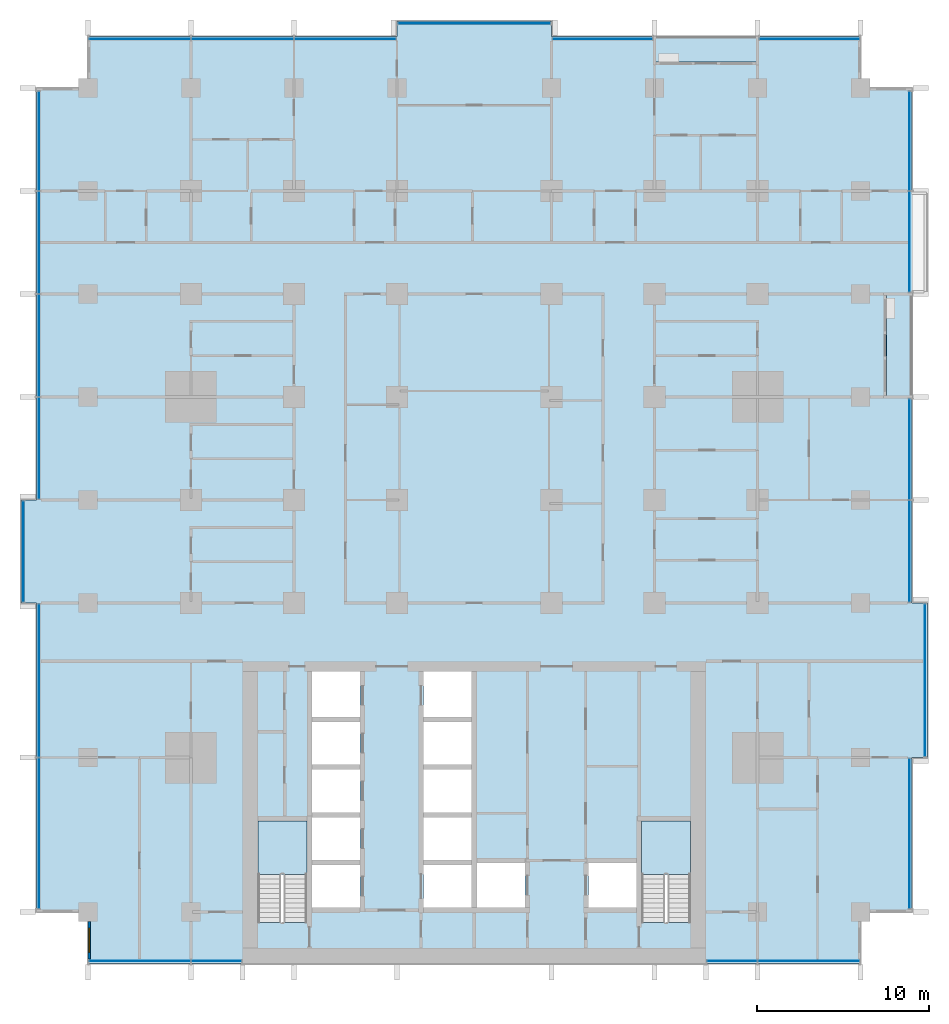
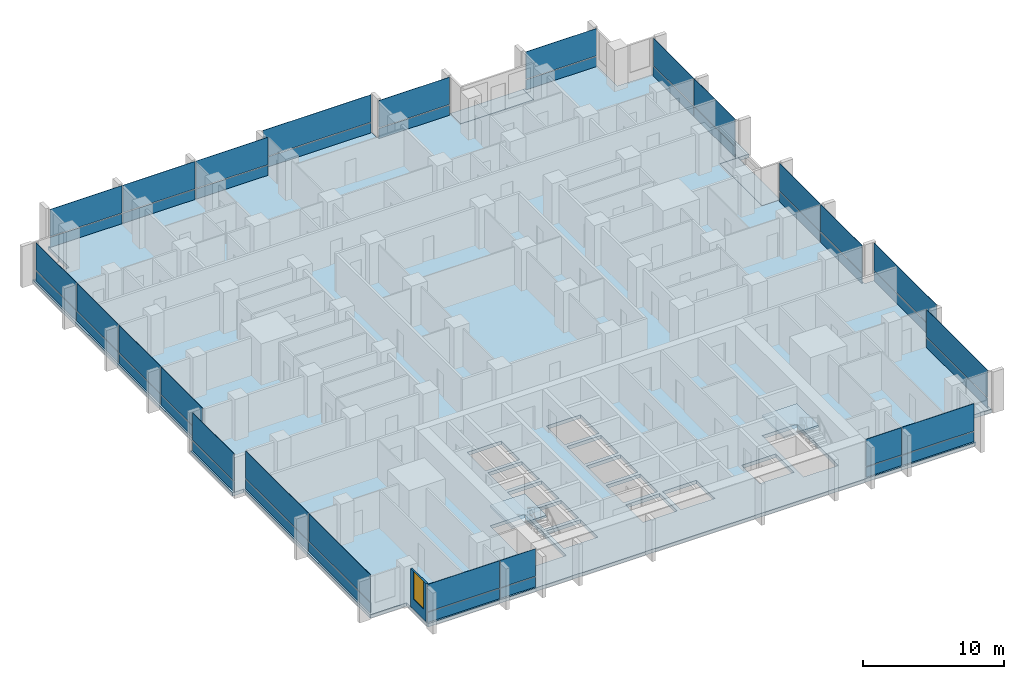
# One storey, part 6 of 18: 46 plates, 5 slabs, 1 wall, 1 window, 1 opening, 15 elements without a shape of their own.
"""IFC4 building model written with IfcOpenShell, lengths in metres."""

from ifc_helpers import new_model, si_unit, direction, frame, frame_2d, origin, origin_2d, place, context, subcontext, project, spatial, polyline, rectangle, outline, extrude, material, layer, layer_set, type_object, element, fill, aggregate, save


model = new_model("IFC4")

# Units and contexts
model_context = context("Model", 3, precision=1e-05, world=origin(), true_north=direction((0.0, 1.0)))
body_context = subcontext(model_context, "Body", "Model", "MODEL_VIEW")
ifc_project = project(units=[si_unit("LENGTHUNIT", "METRE"), si_unit("AREAUNIT", "SQUARE_METRE"), si_unit("VOLUMEUNIT", "CUBIC_METRE"), si_unit("PLANEANGLEUNIT", "RADIAN"), si_unit("MASSUNIT", "GRAM", prefix="KILO")], contexts=[model_context])

# Site, building, storey
site_placement = place(None, origin())
site = spatial("IfcSite", under=ifc_project, at=site_placement, CompositionType="ELEMENT")
building_placement = place(site_placement, origin())
building = spatial("IfcBuilding", under=site, at=building_placement, Name="Finial Court Residences", CompositionType="ELEMENT")
storey_placement = place(building_placement, frame((0.0, 0.0, 68.5)))
storey = spatial("IfcBuildingStorey", under=building, at=storey_placement, Name="L16", CompositionType="ELEMENT", Elevation=68.5)

# Slabs
ifc_material_1 = material(Name="Concrete C35/45", Category="concrete")
ifc_layer_1 = layer(ifc_material_1, 0.199951171875)
ifc_layer_set_1 = layer_set([ifc_layer_1], Name="Balcony slab, Concrete C35/45 200")
slab_type_1 = type_object("IfcSlabType", Name="Balcony slab, Concrete C35/45 200", PredefinedType="FLOOR", material=ifc_layer_set_1)
slab_1_placement = place(storey_placement, frame((0.0, 0.0, -0.199951171875)))
element("IfcSlab", 1, at=slab_1_placement, inside=storey, type_object=slab_type_1, Name="Balcony L16-N6", PredefinedType="FLOOR", context=body_context, shape_type="SweptSolid", body=[
    extrude(outline(polyline([(16.5, 27.0), (16.5, 28.5), (10.5, 28.5), (10.5, 27.0), (16.5, 27.0)])), origin(), (0.0, 0.0, 1.0), 0.199951171875),
])
slab_2_placement = place(storey_placement, frame((0.0, 0.0, -0.199951171875)))
element("IfcSlab", 2, at=slab_2_placement, inside=storey, type_object=slab_type_1, Name="Balcony L16-E5", PredefinedType="FLOOR", context=body_context, shape_type="SweptSolid", body=[
    extrude(outline(polyline([(25.5, 7.5), (25.5, 13.5), (24.0, 13.5), (24.0, 7.5), (25.5, 7.5)])), origin(), (0.0, 0.0, 1.0), 0.199951171875),
])

# Curtain wall, plates
ifc_material_2 = material(Name="Bronze anodised aluminium", Category="aluminium")
curtain_wall_type = type_object("IfcCurtainWallType", Name="Unitised curtain wall, lower and middle zones", PredefinedType="NOTDEFINED", material=ifc_material_2)
curtain_wall_1_placement = place(storey_placement, origin())
curtain_wall_1 = element("IfcCurtainWall", 3, at=curtain_wall_1_placement, inside=storey, type_object=curtain_wall_type, Name="E-L16-CW-N1", PredefinedType="NOTDEFINED")
ifc_layer_2 = layer(ifc_material_2, 0.0400390625)
ifc_layer_set_2 = layer_set([ifc_layer_2], Name="CW1 spandrel panel 40")
plate_type_1 = type_object("IfcPlateType", Name="CW1 spandrel panel 40", PredefinedType="CURTAIN_PANEL", material=ifc_layer_set_2)
plate_1_placement = place(storey_placement, frame((-19.48388671875, 28.35009765625, 0.0), z_axis=(0.0, 0.0, 1.0), x_axis=(1.0, 0.0, 0.0)))
plate_1 = element("IfcPlate", 4, at=plate_1_placement, type_object=plate_type_1, Name="CW1 spandrel 1.1", PredefinedType="CURTAIN_PANEL", context=body_context, shape_type="SweptSolid", body=[
    extrude(rectangle(XDim=5.902587890625, YDim=0.0400390625, at=origin_2d()), origin(), (0.0, 0.0, 1.0), 0.867431640625),
])
plate_2_placement = place(storey_placement, frame((-13.5, 28.35009765625, 0.0), z_axis=(0.0, 0.0, 1.0), x_axis=(1.0, 0.0, 0.0)))
plate_2 = element("IfcPlate", 5, at=plate_2_placement, type_object=plate_type_1, Name="CW1 spandrel 2.1", PredefinedType="CURTAIN_PANEL", context=body_context, shape_type="SweptSolid", body=[
    extrude(rectangle(XDim=5.93505859375, YDim=0.0400390625, at=origin_2d()), origin(), (0.0, 0.0, 1.0), 0.867431640625),
])
plate_3_placement = place(storey_placement, frame((-7.51611328125, 28.35009765625, 0.0), z_axis=(0.0, 0.0, 1.0), x_axis=(1.0, 0.0, 0.0)))
plate_3 = element("IfcPlate", 6, at=plate_3_placement, type_object=plate_type_1, Name="CW1 spandrel 3.1", PredefinedType="CURTAIN_PANEL", context=body_context, shape_type="SweptSolid", body=[
    extrude(rectangle(XDim=5.902587890625, YDim=0.0400390625, at=origin_2d()), origin(), (0.0, 0.0, 1.0), 0.867431640625),
])

# Curtain wall, plate
curtain_wall_2_placement = place(storey_placement, origin())
curtain_wall_2 = element("IfcCurtainWall", 7, at=curtain_wall_2_placement, inside=storey, type_object=curtain_wall_type, Name="E-L16-CW-N2", PredefinedType="NOTDEFINED")
plate_4_placement = place(storey_placement, frame((0.0, 29.25, 0.0), z_axis=(0.0, 0.0, 1.0), x_axis=(1.0, 0.0, 0.0)))
plate_4 = element("IfcPlate", 8, at=plate_4_placement, type_object=plate_type_1, Name="CW1 spandrel 1.1", PredefinedType="CURTAIN_PANEL", context=body_context, shape_type="SweptSolid", body=[
    extrude(rectangle(XDim=8.8701171875, YDim=0.0400390625, at=origin_2d()), origin(), (0.0, 0.0, 1.0), 0.867431640625),
])

curtain_wall_3_placement = place(storey_placement, origin())
curtain_wall_3 = element("IfcCurtainWall", 9, at=curtain_wall_3_placement, inside=storey, type_object=curtain_wall_type, Name="E-L16-CW-N3", PredefinedType="NOTDEFINED")
plate_5_placement = place(storey_placement, frame((7.46240234375, 28.35009765625, 0.0), z_axis=(0.0, 0.0, 1.0), x_axis=(1.0, 0.0, 0.0)))
plate_5 = element("IfcPlate", 10, at=plate_5_placement, type_object=plate_type_1, Name="CW1 spandrel 1.1", PredefinedType="CURTAIN_PANEL", context=body_context, shape_type="SweptSolid", body=[
    extrude(rectangle(XDim=5.794921875, YDim=0.0400390625, at=origin_2d()), origin(), (0.0, 0.0, 1.0), 0.867431640625),
])

curtain_wall_4_placement = place(storey_placement, origin())
curtain_wall_4 = element("IfcCurtainWall", 11, at=curtain_wall_4_placement, inside=storey, type_object=curtain_wall_type, Name="E-L16-CW-N4", PredefinedType="NOTDEFINED")
plate_6_placement = place(storey_placement, frame((19.53759765625, 28.35009765625, 0.0), z_axis=(0.0, 0.0, 1.0), x_axis=(1.0, 0.0, 0.0)))
plate_6 = element("IfcPlate", 12, at=plate_6_placement, type_object=plate_type_1, Name="CW1 spandrel 1.1", PredefinedType="CURTAIN_PANEL", context=body_context, shape_type="SweptSolid", body=[
    extrude(rectangle(XDim=5.794921875, YDim=0.0400390625, at=origin_2d()), origin(), (0.0, 0.0, 1.0), 0.867431640625),
])

curtain_wall_5_placement = place(storey_placement, origin())
curtain_wall_5 = element("IfcCurtainWall", 13, at=curtain_wall_5_placement, inside=storey, type_object=curtain_wall_type, Name="E-L16-CW-E5", PredefinedType="NOTDEFINED")
plate_7_placement = place(storey_placement, frame((25.35009765625, -17.925048828125, 0.0), z_axis=(0.0, 0.0, 1.0), x_axis=(0.0, 1.0, 0.0)))
plate_7 = element("IfcPlate", 14, at=plate_7_placement, type_object=plate_type_1, Name="CW1 spandrel 1.1", PredefinedType="CURTAIN_PANEL", context=body_context, shape_type="SweptSolid", body=[
    extrude(rectangle(XDim=8.719970703125, YDim=0.0400390625, at=origin_2d()), origin(), (0.0, 0.0, 1.0), 0.867431640625),
])

curtain_wall_6_placement = place(storey_placement, origin())
curtain_wall_6 = element("IfcCurtainWall", 15, at=curtain_wall_6_placement, inside=storey, type_object=curtain_wall_type, Name="E-L16-CW-E6", PredefinedType="NOTDEFINED")
plate_8_placement = place(storey_placement, frame((26.25, -9.0, 0.0), z_axis=(0.0, 0.0, 1.0), x_axis=(0.0, 1.0, 0.0)))
plate_8 = element("IfcPlate", 16, at=plate_8_placement, type_object=plate_type_1, Name="CW1 spandrel 1.1", PredefinedType="CURTAIN_PANEL", context=body_context, shape_type="SweptSolid", body=[
    extrude(rectangle(XDim=8.8701171875, YDim=0.0400390625, at=origin_2d()), origin(), (0.0, 0.0, 1.0), 0.867431640625),
])

# Curtain wall, plates
curtain_wall_7_placement = place(storey_placement, origin())
curtain_wall_7 = element("IfcCurtainWall", 17, at=curtain_wall_7_placement, inside=storey, type_object=curtain_wall_type, Name="E-L16-CW-E7", PredefinedType="NOTDEFINED")
plate_9_placement = place(storey_placement, frame((25.35009765625, -1.48388671875, 0.0), z_axis=(0.0, 0.0, 1.0), x_axis=(0.0, 1.0, 0.0)))
plate_9 = element("IfcPlate", 18, at=plate_9_placement, type_object=plate_type_1, Name="CW1 spandrel 1.1", PredefinedType="CURTAIN_PANEL", context=body_context, shape_type="SweptSolid", body=[
    extrude(rectangle(XDim=5.902587890625, YDim=0.0400390625, at=origin_2d()), origin(), (0.0, 0.0, 1.0), 0.867431640625),
])
plate_10_placement = place(storey_placement, frame((25.35009765625, 4.4462890625, 0.0), z_axis=(0.0, 0.0, 1.0), x_axis=(0.0, 1.0, 0.0)))
plate_10 = element("IfcPlate", 19, at=plate_10_placement, type_object=plate_type_1, Name="CW1 spandrel 2.1", PredefinedType="CURTAIN_PANEL", context=body_context, shape_type="SweptSolid", body=[
    extrude(rectangle(XDim=5.827392578125, YDim=0.0400390625, at=origin_2d()), origin(), (0.0, 0.0, 1.0), 0.867431640625),
])

curtain_wall_8_placement = place(storey_placement, origin())
curtain_wall_8 = element("IfcCurtainWall", 20, at=curtain_wall_8_placement, inside=storey, type_object=curtain_wall_type, Name="E-L16-CW-E8", PredefinedType="NOTDEFINED")
plate_11_placement = place(storey_placement, frame((25.35009765625, 16.5537109375, 0.0), z_axis=(0.0, 0.0, 1.0), x_axis=(0.0, 1.0, 0.0)))
plate_11 = element("IfcPlate", 21, at=plate_11_placement, type_object=plate_type_1, Name="CW1 spandrel 1.1", PredefinedType="CURTAIN_PANEL", context=body_context, shape_type="SweptSolid", body=[
    extrude(rectangle(XDim=5.827392578125, YDim=0.0400390625, at=origin_2d()), origin(), (0.0, 0.0, 1.0), 0.867431640625),
])
plate_12_placement = place(storey_placement, frame((25.35009765625, 22.40869140625, 0.0), z_axis=(0.0, 0.0, 1.0), x_axis=(0.0, 1.0, 0.0)))
plate_12 = element("IfcPlate", 22, at=plate_12_placement, type_object=plate_type_1, Name="CW1 spandrel 2.1", PredefinedType="CURTAIN_PANEL", context=body_context, shape_type="SweptSolid", body=[
    extrude(rectangle(XDim=5.75244140625, YDim=0.0400390625, at=origin_2d()), origin(), (0.0, 0.0, 1.0), 0.867431640625),
])

curtain_wall_9_placement = place(storey_placement, origin())
curtain_wall_9 = element("IfcCurtainWall", 23, at=curtain_wall_9_placement, inside=storey, type_object=curtain_wall_type, Name="E-L16-CW-S9", PredefinedType="NOTDEFINED")
plate_13_placement = place(storey_placement, frame((-19.48388671875, -25.35009765625, 0.0), z_axis=(0.0, 0.0, 1.0), x_axis=(1.0, 0.0, 0.0)))
plate_13 = element("IfcPlate", 24, at=plate_13_placement, type_object=plate_type_1, Name="CW1 spandrel 1.1", PredefinedType="CURTAIN_PANEL", context=body_context, shape_type="SweptSolid", body=[
    extrude(rectangle(XDim=5.902587890625, YDim=0.0400390625, at=origin_2d()), origin(), (0.0, 0.0, 1.0), 0.867431640625),
])
plate_14_placement = place(storey_placement, frame((-15.016357421875, -25.35009765625, 0.0), z_axis=(0.0, 0.0, 1.0), x_axis=(1.0, 0.0, 0.0)))
plate_14 = element("IfcPlate", 25, at=plate_14_placement, type_object=plate_type_1, Name="CW1 spandrel 2.1", PredefinedType="CURTAIN_PANEL", context=body_context, shape_type="SweptSolid", body=[
    extrude(rectangle(XDim=2.902587890625, YDim=0.0400390625, at=origin_2d()), origin(), (0.0, 0.0, 1.0), 0.867431640625),
])

curtain_wall_10_placement = place(storey_placement, origin())
curtain_wall_10 = element("IfcCurtainWall", 26, at=curtain_wall_10_placement, inside=storey, type_object=curtain_wall_type, Name="E-L16-CW-S10", PredefinedType="NOTDEFINED")
plate_15_placement = place(storey_placement, frame((15.016357421875, -25.35009765625, 0.0), z_axis=(0.0, 0.0, 1.0), x_axis=(1.0, 0.0, 0.0)))
plate_15 = element("IfcPlate", 27, at=plate_15_placement, type_object=plate_type_1, Name="CW1 spandrel 1.1", PredefinedType="CURTAIN_PANEL", context=body_context, shape_type="SweptSolid", body=[
    extrude(rectangle(XDim=2.902587890625, YDim=0.0400390625, at=origin_2d()), origin(), (0.0, 0.0, 1.0), 0.867431640625),
])
plate_16_placement = place(storey_placement, frame((19.48388671875, -25.35009765625, 0.0), z_axis=(0.0, 0.0, 1.0), x_axis=(1.0, 0.0, 0.0)))
plate_16 = element("IfcPlate", 28, at=plate_16_placement, type_object=plate_type_1, Name="CW1 spandrel 2.1", PredefinedType="CURTAIN_PANEL", context=body_context, shape_type="SweptSolid", body=[
    extrude(rectangle(XDim=5.902587890625, YDim=0.0400390625, at=origin_2d()), origin(), (0.0, 0.0, 1.0), 0.867431640625),
])

curtain_wall_11_placement = place(storey_placement, origin())
curtain_wall_11 = element("IfcCurtainWall", 29, at=curtain_wall_11_placement, inside=storey, type_object=curtain_wall_type, Name="E-L16-CW-W11", PredefinedType="NOTDEFINED")
plate_17_placement = place(storey_placement, frame((-25.35009765625, -17.90869140625, 0.0), z_axis=(0.0, 0.0, 1.0), x_axis=(0.0, 1.0, 0.0)))
plate_17 = element("IfcPlate", 30, at=plate_17_placement, type_object=plate_type_1, Name="CW1 spandrel 1.1", PredefinedType="CURTAIN_PANEL", context=body_context, shape_type="SweptSolid", body=[
    extrude(rectangle(XDim=8.75244140625, YDim=0.0400390625, at=origin_2d()), origin(), (0.0, 0.0, 1.0), 0.867431640625),
])
plate_18_placement = place(storey_placement, frame((-25.35009765625, -9.01611328125, 0.0), z_axis=(0.0, 0.0, 1.0), x_axis=(0.0, 1.0, 0.0)))
plate_18 = element("IfcPlate", 31, at=plate_18_placement, type_object=plate_type_1, Name="CW1 spandrel 2.1", PredefinedType="CURTAIN_PANEL", context=body_context, shape_type="SweptSolid", body=[
    extrude(rectangle(XDim=8.902587890625, YDim=0.0400390625, at=origin_2d()), origin(), (0.0, 0.0, 1.0), 0.867431640625),
])

# Curtain wall, plate
curtain_wall_12_placement = place(storey_placement, origin())
curtain_wall_12 = element("IfcCurtainWall", 32, at=curtain_wall_12_placement, inside=storey, type_object=curtain_wall_type, Name="E-L16-CW-W12", PredefinedType="NOTDEFINED")
plate_19_placement = place(storey_placement, frame((-26.25, -1.5, 0.0), z_axis=(0.0, 0.0, 1.0), x_axis=(0.0, 1.0, 0.0)))
plate_19 = element("IfcPlate", 33, at=plate_19_placement, type_object=plate_type_1, Name="CW1 spandrel 1.1", PredefinedType="CURTAIN_PANEL", context=body_context, shape_type="SweptSolid", body=[
    extrude(rectangle(XDim=5.8701171875, YDim=0.0400390625, at=origin_2d()), origin(), (0.0, 0.0, 1.0), 0.867431640625),
])

# Curtain wall, plates
curtain_wall_13_placement = place(storey_placement, origin())
curtain_wall_13 = element("IfcCurtainWall", 34, at=curtain_wall_13_placement, inside=storey, type_object=curtain_wall_type, Name="E-L16-CW-W13", PredefinedType="NOTDEFINED")
plate_20_placement = place(storey_placement, frame((-25.35009765625, 4.516357421875, 0.0), z_axis=(0.0, 0.0, 1.0), x_axis=(0.0, 1.0, 0.0)))
plate_20 = element("IfcPlate", 35, at=plate_20_placement, type_object=plate_type_1, Name="CW1 spandrel 1.1", PredefinedType="CURTAIN_PANEL", context=body_context, shape_type="SweptSolid", body=[
    extrude(rectangle(XDim=5.902587890625, YDim=0.0400390625, at=origin_2d()), origin(), (0.0, 0.0, 1.0), 0.867431640625),
])
plate_21_placement = place(storey_placement, frame((-25.35009765625, 10.5, 0.0), z_axis=(0.0, 0.0, 1.0), x_axis=(0.0, 1.0, 0.0)))
plate_21 = element("IfcPlate", 36, at=plate_21_placement, type_object=plate_type_1, Name="CW1 spandrel 2.1", PredefinedType="CURTAIN_PANEL", context=body_context, shape_type="SweptSolid", body=[
    extrude(rectangle(XDim=5.93505859375, YDim=0.0400390625, at=origin_2d()), origin(), (0.0, 0.0, 1.0), 0.867431640625),
])
plate_22_placement = place(storey_placement, frame((-25.35009765625, 16.5, 0.0), z_axis=(0.0, 0.0, 1.0), x_axis=(0.0, 1.0, 0.0)))
plate_22 = element("IfcPlate", 37, at=plate_22_placement, type_object=plate_type_1, Name="CW1 spandrel 3.1", PredefinedType="CURTAIN_PANEL", context=body_context, shape_type="SweptSolid", body=[
    extrude(rectangle(XDim=5.93505859375, YDim=0.0400390625, at=origin_2d()), origin(), (0.0, 0.0, 1.0), 0.867431640625),
])
plate_23_placement = place(storey_placement, frame((-25.35009765625, 22.40869140625, 0.0), z_axis=(0.0, 0.0, 1.0), x_axis=(0.0, 1.0, 0.0)))
plate_23 = element("IfcPlate", 38, at=plate_23_placement, type_object=plate_type_1, Name="CW1 spandrel 4.1", PredefinedType="CURTAIN_PANEL", context=body_context, shape_type="SweptSolid", body=[
    extrude(rectangle(XDim=5.75244140625, YDim=0.0400390625, at=origin_2d()), origin(), (0.0, 0.0, 1.0), 0.867431640625),
])

# Plate
ifc_material_3 = material(Name="Clear low-e glass", Category="glass")
ifc_layer_3 = layer(ifc_material_3, 0.031982421875)
ifc_layer_set_3 = layer_set([ifc_layer_3], Name="CW1 vision glass 32")
plate_type_2 = type_object("IfcPlateType", Name="CW1 vision glass 32", PredefinedType="CURTAIN_PANEL", material=ifc_layer_set_3)
plate_24_placement = place(storey_placement, frame((-19.48388671875, 28.35009765625, 0.9326171875), z_axis=(0.0, 0.0, 1.0), x_axis=(1.0, 0.0, 0.0)))
plate_24 = element("IfcPlate", 39, at=plate_24_placement, type_object=plate_type_2, Name="CW1 glass 1.2", PredefinedType="CURTAIN_PANEL", context=body_context, shape_type="SweptSolid", body=[
    extrude(rectangle(XDim=5.902587890625, YDim=0.031982421875, at=origin_2d()), origin(), (0.0, 0.0, 1.0), 2.367431640625),
])

plate_25_placement = place(storey_placement, frame((-13.5, 28.35009765625, 0.9326171875), z_axis=(0.0, 0.0, 1.0), x_axis=(1.0, 0.0, 0.0)))
plate_25 = element("IfcPlate", 40, at=plate_25_placement, type_object=plate_type_2, Name="CW1 glass 2.2", PredefinedType="CURTAIN_PANEL", context=body_context, shape_type="SweptSolid", body=[
    extrude(rectangle(XDim=5.93505859375, YDim=0.031982421875, at=origin_2d()), origin(), (0.0, 0.0, 1.0), 2.367431640625),
])

plate_26_placement = place(storey_placement, frame((-7.51611328125, 28.35009765625, 0.9326171875), z_axis=(0.0, 0.0, 1.0), x_axis=(1.0, 0.0, 0.0)))
plate_26 = element("IfcPlate", 41, at=plate_26_placement, type_object=plate_type_2, Name="CW1 glass 3.2", PredefinedType="CURTAIN_PANEL", context=body_context, shape_type="SweptSolid", body=[
    extrude(rectangle(XDim=5.902587890625, YDim=0.031982421875, at=origin_2d()), origin(), (0.0, 0.0, 1.0), 2.367431640625),
])

aggregate(curtain_wall_1, [plate_1, plate_24, plate_2, plate_25, plate_3, plate_26])

plate_27_placement = place(storey_placement, frame((0.0, 29.25, 0.9326171875), z_axis=(0.0, 0.0, 1.0), x_axis=(1.0, 0.0, 0.0)))
plate_27 = element("IfcPlate", 42, at=plate_27_placement, type_object=plate_type_2, Name="CW1 glass 1.2", PredefinedType="CURTAIN_PANEL", context=body_context, shape_type="SweptSolid", body=[
    extrude(rectangle(XDim=8.8701171875, YDim=0.031982421875, at=origin_2d()), origin(), (0.0, 0.0, 1.0), 2.367431640625),
])

aggregate(curtain_wall_2, [plate_4, plate_27])

plate_28_placement = place(storey_placement, frame((7.46240234375, 28.35009765625, 0.9326171875), z_axis=(0.0, 0.0, 1.0), x_axis=(1.0, 0.0, 0.0)))
plate_28 = element("IfcPlate", 43, at=plate_28_placement, type_object=plate_type_2, Name="CW1 glass 1.2", PredefinedType="CURTAIN_PANEL", context=body_context, shape_type="SweptSolid", body=[
    extrude(rectangle(XDim=5.794921875, YDim=0.031982421875, at=origin_2d()), origin(), (0.0, 0.0, 1.0), 2.367431640625),
])

aggregate(curtain_wall_3, [plate_5, plate_28])

plate_29_placement = place(storey_placement, frame((19.53759765625, 28.35009765625, 0.9326171875), z_axis=(0.0, 0.0, 1.0), x_axis=(1.0, 0.0, 0.0)))
plate_29 = element("IfcPlate", 44, at=plate_29_placement, type_object=plate_type_2, Name="CW1 glass 1.2", PredefinedType="CURTAIN_PANEL", context=body_context, shape_type="SweptSolid", body=[
    extrude(rectangle(XDim=5.794921875, YDim=0.031982421875, at=origin_2d()), origin(), (0.0, 0.0, 1.0), 2.367431640625),
])

aggregate(curtain_wall_4, [plate_6, plate_29])

plate_30_placement = place(storey_placement, frame((25.35009765625, -17.925048828125, 0.9326171875), z_axis=(0.0, 0.0, 1.0), x_axis=(0.0, 1.0, 0.0)))
plate_30 = element("IfcPlate", 45, at=plate_30_placement, type_object=plate_type_2, Name="CW1 glass 1.2", PredefinedType="CURTAIN_PANEL", context=body_context, shape_type="SweptSolid", body=[
    extrude(rectangle(XDim=8.719970703125, YDim=0.031982421875, at=origin_2d()), origin(), (0.0, 0.0, 1.0), 2.367431640625),
])

aggregate(curtain_wall_5, [plate_7, plate_30])

plate_31_placement = place(storey_placement, frame((26.25, -9.0, 0.9326171875), z_axis=(0.0, 0.0, 1.0), x_axis=(0.0, 1.0, 0.0)))
plate_31 = element("IfcPlate", 46, at=plate_31_placement, type_object=plate_type_2, Name="CW1 glass 1.2", PredefinedType="CURTAIN_PANEL", context=body_context, shape_type="SweptSolid", body=[
    extrude(rectangle(XDim=8.8701171875, YDim=0.031982421875, at=origin_2d()), origin(), (0.0, 0.0, 1.0), 2.367431640625),
])

aggregate(curtain_wall_6, [plate_8, plate_31])

plate_32_placement = place(storey_placement, frame((25.35009765625, -1.48388671875, 0.9326171875), z_axis=(0.0, 0.0, 1.0), x_axis=(0.0, 1.0, 0.0)))
plate_32 = element("IfcPlate", 47, at=plate_32_placement, type_object=plate_type_2, Name="CW1 glass 1.2", PredefinedType="CURTAIN_PANEL", context=body_context, shape_type="SweptSolid", body=[
    extrude(rectangle(XDim=5.902587890625, YDim=0.031982421875, at=origin_2d()), origin(), (0.0, 0.0, 1.0), 2.367431640625),
])

plate_33_placement = place(storey_placement, frame((25.35009765625, 4.4462890625, 0.9326171875), z_axis=(0.0, 0.0, 1.0), x_axis=(0.0, 1.0, 0.0)))
plate_33 = element("IfcPlate", 48, at=plate_33_placement, type_object=plate_type_2, Name="CW1 glass 2.2", PredefinedType="CURTAIN_PANEL", context=body_context, shape_type="SweptSolid", body=[
    extrude(rectangle(XDim=5.827392578125, YDim=0.031982421875, at=origin_2d()), origin(), (0.0, 0.0, 1.0), 2.367431640625),
])

aggregate(curtain_wall_7, [plate_9, plate_32, plate_10, plate_33])

plate_34_placement = place(storey_placement, frame((25.35009765625, 16.5537109375, 0.9326171875), z_axis=(0.0, 0.0, 1.0), x_axis=(0.0, 1.0, 0.0)))
plate_34 = element("IfcPlate", 49, at=plate_34_placement, type_object=plate_type_2, Name="CW1 glass 1.2", PredefinedType="CURTAIN_PANEL", context=body_context, shape_type="SweptSolid", body=[
    extrude(rectangle(XDim=5.827392578125, YDim=0.031982421875, at=origin_2d()), origin(), (0.0, 0.0, 1.0), 2.367431640625),
])

plate_35_placement = place(storey_placement, frame((25.35009765625, 22.40869140625, 0.9326171875), z_axis=(0.0, 0.0, 1.0), x_axis=(0.0, 1.0, 0.0)))
plate_35 = element("IfcPlate", 50, at=plate_35_placement, type_object=plate_type_2, Name="CW1 glass 2.2", PredefinedType="CURTAIN_PANEL", context=body_context, shape_type="SweptSolid", body=[
    extrude(rectangle(XDim=5.75244140625, YDim=0.031982421875, at=origin_2d()), origin(), (0.0, 0.0, 1.0), 2.367431640625),
])

aggregate(curtain_wall_8, [plate_11, plate_34, plate_12, plate_35])

plate_36_placement = place(storey_placement, frame((-19.48388671875, -25.35009765625, 0.9326171875), z_axis=(0.0, 0.0, 1.0), x_axis=(1.0, 0.0, 0.0)))
plate_36 = element("IfcPlate", 51, at=plate_36_placement, type_object=plate_type_2, Name="CW1 glass 1.2", PredefinedType="CURTAIN_PANEL", context=body_context, shape_type="SweptSolid", body=[
    extrude(rectangle(XDim=5.902587890625, YDim=0.031982421875, at=origin_2d()), origin(), (0.0, 0.0, 1.0), 2.367431640625),
])

plate_37_placement = place(storey_placement, frame((-15.016357421875, -25.35009765625, 0.9326171875), z_axis=(0.0, 0.0, 1.0), x_axis=(1.0, 0.0, 0.0)))
plate_37 = element("IfcPlate", 52, at=plate_37_placement, type_object=plate_type_2, Name="CW1 glass 2.2", PredefinedType="CURTAIN_PANEL", context=body_context, shape_type="SweptSolid", body=[
    extrude(rectangle(XDim=2.902587890625, YDim=0.031982421875, at=origin_2d()), origin(), (0.0, 0.0, 1.0), 2.367431640625),
])

aggregate(curtain_wall_9, [plate_13, plate_36, plate_14, plate_37])

plate_38_placement = place(storey_placement, frame((15.016357421875, -25.35009765625, 0.9326171875), z_axis=(0.0, 0.0, 1.0), x_axis=(1.0, 0.0, 0.0)))
plate_38 = element("IfcPlate", 53, at=plate_38_placement, type_object=plate_type_2, Name="CW1 glass 1.2", PredefinedType="CURTAIN_PANEL", context=body_context, shape_type="SweptSolid", body=[
    extrude(rectangle(XDim=2.902587890625, YDim=0.031982421875, at=origin_2d()), origin(), (0.0, 0.0, 1.0), 2.367431640625),
])

plate_39_placement = place(storey_placement, frame((19.48388671875, -25.35009765625, 0.9326171875), z_axis=(0.0, 0.0, 1.0), x_axis=(1.0, 0.0, 0.0)))
plate_39 = element("IfcPlate", 54, at=plate_39_placement, type_object=plate_type_2, Name="CW1 glass 2.2", PredefinedType="CURTAIN_PANEL", context=body_context, shape_type="SweptSolid", body=[
    extrude(rectangle(XDim=5.902587890625, YDim=0.031982421875, at=origin_2d()), origin(), (0.0, 0.0, 1.0), 2.367431640625),
])

aggregate(curtain_wall_10, [plate_15, plate_38, plate_16, plate_39])

plate_40_placement = place(storey_placement, frame((-25.35009765625, -17.90869140625, 0.9326171875), z_axis=(0.0, 0.0, 1.0), x_axis=(0.0, 1.0, 0.0)))
plate_40 = element("IfcPlate", 55, at=plate_40_placement, type_object=plate_type_2, Name="CW1 glass 1.2", PredefinedType="CURTAIN_PANEL", context=body_context, shape_type="SweptSolid", body=[
    extrude(rectangle(XDim=8.75244140625, YDim=0.031982421875, at=origin_2d()), origin(), (0.0, 0.0, 1.0), 2.367431640625),
])

plate_41_placement = place(storey_placement, frame((-25.35009765625, -9.01611328125, 0.9326171875), z_axis=(0.0, 0.0, 1.0), x_axis=(0.0, 1.0, 0.0)))
plate_41 = element("IfcPlate", 56, at=plate_41_placement, type_object=plate_type_2, Name="CW1 glass 2.2", PredefinedType="CURTAIN_PANEL", context=body_context, shape_type="SweptSolid", body=[
    extrude(rectangle(XDim=8.902587890625, YDim=0.031982421875, at=origin_2d()), origin(), (0.0, 0.0, 1.0), 2.367431640625),
])

aggregate(curtain_wall_11, [plate_17, plate_40, plate_18, plate_41])

plate_42_placement = place(storey_placement, frame((-26.25, -1.5, 0.9326171875), z_axis=(0.0, 0.0, 1.0), x_axis=(0.0, 1.0, 0.0)))
plate_42 = element("IfcPlate", 57, at=plate_42_placement, type_object=plate_type_2, Name="CW1 glass 1.2", PredefinedType="CURTAIN_PANEL", context=body_context, shape_type="SweptSolid", body=[
    extrude(rectangle(XDim=5.8701171875, YDim=0.031982421875, at=origin_2d()), origin(), (0.0, 0.0, 1.0), 2.367431640625),
])

aggregate(curtain_wall_12, [plate_19, plate_42])

plate_43_placement = place(storey_placement, frame((-25.35009765625, 4.516357421875, 0.9326171875), z_axis=(0.0, 0.0, 1.0), x_axis=(0.0, 1.0, 0.0)))
plate_43 = element("IfcPlate", 58, at=plate_43_placement, type_object=plate_type_2, Name="CW1 glass 1.2", PredefinedType="CURTAIN_PANEL", context=body_context, shape_type="SweptSolid", body=[
    extrude(rectangle(XDim=5.902587890625, YDim=0.031982421875, at=origin_2d()), origin(), (0.0, 0.0, 1.0), 2.367431640625),
])

plate_44_placement = place(storey_placement, frame((-25.35009765625, 10.5, 0.9326171875), z_axis=(0.0, 0.0, 1.0), x_axis=(0.0, 1.0, 0.0)))
plate_44 = element("IfcPlate", 59, at=plate_44_placement, type_object=plate_type_2, Name="CW1 glass 2.2", PredefinedType="CURTAIN_PANEL", context=body_context, shape_type="SweptSolid", body=[
    extrude(rectangle(XDim=5.93505859375, YDim=0.031982421875, at=origin_2d()), origin(), (0.0, 0.0, 1.0), 2.367431640625),
])

plate_45_placement = place(storey_placement, frame((-25.35009765625, 16.5, 0.9326171875), z_axis=(0.0, 0.0, 1.0), x_axis=(0.0, 1.0, 0.0)))
plate_45 = element("IfcPlate", 60, at=plate_45_placement, type_object=plate_type_2, Name="CW1 glass 3.2", PredefinedType="CURTAIN_PANEL", context=body_context, shape_type="SweptSolid", body=[
    extrude(rectangle(XDim=5.93505859375, YDim=0.031982421875, at=origin_2d()), origin(), (0.0, 0.0, 1.0), 2.367431640625),
])

plate_46_placement = place(storey_placement, frame((-25.35009765625, 22.40869140625, 0.9326171875), z_axis=(0.0, 0.0, 1.0), x_axis=(0.0, 1.0, 0.0)))
plate_46 = element("IfcPlate", 61, at=plate_46_placement, type_object=plate_type_2, Name="CW1 glass 4.2", PredefinedType="CURTAIN_PANEL", context=body_context, shape_type="SweptSolid", body=[
    extrude(rectangle(XDim=5.75244140625, YDim=0.031982421875, at=origin_2d()), origin(), (0.0, 0.0, 1.0), 2.367431640625),
])

aggregate(curtain_wall_13, [plate_20, plate_43, plate_21, plate_44, plate_22, plate_45, plate_23, plate_46])

# Stair, slab
ifc_material_4 = material(Name="Concrete C50/60", Category="concrete")
stair_type = type_object("IfcStairType", Name="Exit stair 22 risers of 163.6 mm", PredefinedType="HALF_TURN_STAIR", material=ifc_material_4)
stair_1_placement = place(storey_placement, origin())
stair_1 = element("IfcStair", 62, at=stair_1_placement, inside=storey, type_object=stair_type, Name="L16 Exit stair ST-1", PredefinedType="HALF_TURN_STAIR")
ifc_layer_4 = layer(ifc_material_4, 0.199951171875)
ifc_layer_set_4 = layer_set([ifc_layer_4], Name="Exit stair landing")
slab_type_2 = type_object("IfcSlabType", Name="Exit stair landing", PredefinedType="LANDING", material=ifc_layer_set_4)
slab_3_placement = place(storey_placement, frame((0.0, 0.0, 1.60009765625)))
slab_3 = element("IfcSlab", 63, at=slab_3_placement, type_object=slab_type_2, Name="ST-1 landing 1", PredefinedType="LANDING", context=body_context, shape_type="SweptSolid", body=[
    extrude(outline(polyline([(-9.75, -20.300048828125), (-9.75, -17.199951171875), (-12.60009765625, -17.199951171875), (-12.60009765625, -20.300048828125), (-9.75, -20.300048828125)])), origin(), (0.0, 0.0, 1.0), 0.199951171875),
])
aggregate(stair_1, [slab_3])

stair_2_placement = place(storey_placement, origin())
stair_2 = element("IfcStair", 64, at=stair_2_placement, inside=storey, type_object=stair_type, Name="L16 Exit stair ST-2", PredefinedType="HALF_TURN_STAIR")
slab_4_placement = place(storey_placement, frame((0.0, 0.0, 1.60009765625)))
slab_4 = element("IfcSlab", 65, at=slab_4_placement, type_object=slab_type_2, Name="ST-2 landing 1", PredefinedType="LANDING", context=body_context, shape_type="SweptSolid", body=[
    extrude(outline(polyline([(12.60009765625, -20.300048828125), (12.60009765625, -17.199951171875), (9.75, -17.199951171875), (9.75, -20.300048828125), (12.60009765625, -20.300048828125)])), origin(), (0.0, 0.0, 1.0), 0.199951171875),
])
aggregate(stair_2, [slab_4])

# Slab
ifc_material_5 = material(Name="Concrete C40/50", Category="concrete")
ifc_layer_5 = layer(ifc_material_5, 0.300048828125)
ifc_layer_set_5 = layer_set([ifc_layer_5], Name="Flat plate slab 300 Concrete C40/50")
slab_type_3 = type_object("IfcSlabType", Name="Flat plate slab 300 Concrete C40/50", PredefinedType="FLOOR", material=ifc_layer_set_5)
slab_5_placement = place(storey_placement, frame((0.0, 0.0, -0.300048828125)))
element("IfcSlab", 66, at=slab_5_placement, inside=storey, type_object=slab_type_3, Name="S:SLAB:L16", PredefinedType="FLOOR", context=body_context, shape_type="SweptSolid", body=[
    extrude(outline(polyline([(22.5, -22.5), (22.5, -25.5), (-22.5, -25.5), (-22.5, -22.5), (-25.5, -22.5), (-25.5, -4.5), (-26.39990234375, -4.5), (-26.39990234375, 1.5), (-25.5, 1.5), (-25.5, 25.5), (-22.5, 25.5), (-22.5, 28.5), (-4.5, 28.5), (-4.5, 29.39990234375), (4.5, 29.39990234375), (4.5, 28.5), (10.5, 28.5), (10.5, 27.0), (16.5, 27.0), (16.5, 28.5), (22.5, 28.5), (22.5, 25.5), (25.5, 25.5), (25.5, 19.5), (26.39990234375, 19.5), (26.39990234375, 13.5), (25.5, 13.5), (24.0, 13.5), (24.0, 7.5), (25.5, 7.5), (25.5, -4.5), (26.39990234375, -4.5), (26.39990234375, -13.5), (25.5, -13.5), (25.5, -22.5), (22.5, -22.5)]), holes=[polyline([(-6.64990234375, -19.77001953125), (-9.449951171875, -19.77001953125), (-9.449951171875, -22.25), (-6.64990234375, -22.25), (-6.64990234375, -19.77001953125)]), polyline([(-9.75, -17.199951171875), (-12.60009765625, -17.199951171875), (-12.60009765625, -23.09912109375), (-9.75, -23.09912109375), (-9.75, -17.199951171875)]), polyline([(-6.64990234375, -19.469970703125), (-6.64990234375, -16.989990234375), (-9.449951171875, -16.989990234375), (-9.449951171875, -19.469970703125), (-6.64990234375, -19.469970703125)]), polyline([(-6.64990234375, -16.68994140625), (-6.64990234375, -14.2099609375), (-9.449951171875, -14.2099609375), (-9.449951171875, -16.68994140625), (-6.64990234375, -16.68994140625)]), polyline([(-6.64990234375, -13.909912109375), (-6.64990234375, -11.429931640625), (-9.449951171875, -11.429931640625), (-9.449951171875, -13.909912109375), (-6.64990234375, -13.909912109375)]), polyline([(-6.64990234375, -11.1298828125), (-6.64990234375, -8.5), (-9.449951171875, -8.5), (-9.449951171875, -11.1298828125), (-6.64990234375, -11.1298828125)]), polyline([(-0.14990234375, -11.1298828125), (-0.14990234375, -8.5), (-2.949951171875, -8.5), (-2.949951171875, -11.1298828125), (-0.14990234375, -11.1298828125)]), polyline([(-0.14990234375, -19.77001953125), (-2.949951171875, -19.77001953125), (-2.949951171875, -22.25), (-0.14990234375, -22.25), (-0.14990234375, -19.77001953125)]), polyline([(2.949951171875, -22.25), (2.949951171875, -19.64990234375), (0.14990234375, -19.64990234375), (0.14990234375, -22.25), (2.949951171875, -22.25)]), polyline([(9.449951171875, -22.25), (9.449951171875, -19.64990234375), (6.64990234375, -19.64990234375), (6.64990234375, -22.25), (9.449951171875, -22.25)]), polyline([(12.60009765625, -17.199951171875), (9.75, -17.199951171875), (9.75, -23.09912109375), (12.60009765625, -23.09912109375), (12.60009765625, -17.199951171875)]), polyline([(-0.14990234375, -19.469970703125), (-0.14990234375, -16.989990234375), (-2.949951171875, -16.989990234375), (-2.949951171875, -19.469970703125), (-0.14990234375, -19.469970703125)]), polyline([(-0.14990234375, -16.68994140625), (-0.14990234375, -14.2099609375), (-2.949951171875, -14.2099609375), (-2.949951171875, -16.68994140625), (-0.14990234375, -16.68994140625)]), polyline([(-0.14990234375, -13.909912109375), (-0.14990234375, -11.429931640625), (-2.949951171875, -11.429931640625), (-2.949951171875, -13.909912109375), (-0.14990234375, -13.909912109375)])]), origin(), (0.0, 0.0, 1.0), 0.300048828125),
])

# Wall, opening, window
ifc_material_6 = material(Name="Natural limestone", Category="masonry")
ifc_layer_6 = layer(ifc_material_6, 0.14990234375)
ifc_layer_set_6 = layer_set([ifc_layer_6], Name="Limestone clad wall 150")
wall_type = type_object("IfcWallType", Name="Limestone clad wall 150", PredefinedType="SOLIDWALL", material=ifc_layer_set_6)
wall_placement = place(storey_placement, frame((-22.425048828125, -25.25, 0.0), z_axis=(0.0, 0.0, 1.0), x_axis=(0.0, 1.0, 0.0)))
wall = element("IfcWall", 67, at=wall_placement, inside=storey, type_object=wall_type, Name="E-L16-NWW14", PredefinedType="SOLIDWALL", context=body_context, shape_type="SweptSolid", body=[
    extrude(rectangle(XDim=2.199951171875, YDim=0.14990234375, at=frame_2d((1.10009765625, 0.0))), origin(), (0.0, 0.0, 1.0), 3.300048828125),
])
opening_placement = place(wall_placement, frame((0.39990234375, 0.0, 0.89990234375)))
opening = element("IfcOpeningElement", 68, at=opening_placement, cuts=wall, Name="Opening WE16-01", PredefinedType="OPENING", context=body_context, shape_type="SweptSolid", body=[
    extrude(rectangle(XDim=1.39990234375, YDim=2.39990234375, at=frame_2d((0.699951171875, 1.199951171875))), frame((0.0, 0.0849609375, 0.0), z_axis=(0.0, -1.0, 0.0), x_axis=(1.0, 0.0, 0.0)), (0.0, 0.0, 1.0), 0.169921875),
])
window_type = type_object("IfcWindowType", Name="Corner window 1400 x 2400", PartitioningType="SINGLE_PANEL", PredefinedType="WINDOW", material=ifc_material_3)
window_placement = place(opening_placement, origin())
window = element("IfcWindow", 69, at=window_placement, inside=storey, type_object=window_type, Name="E-L16-NWW14-W1", OverallHeight=2.39990234375, OverallWidth=1.39990234375, PartitioningType="SINGLE_PANEL", PredefinedType="WINDOW", context=body_context, shape_type="SweptSolid", body=[
    extrude(rectangle(XDim=1.39990234375, YDim=2.39990234375, at=frame_2d((0.699951171875, 1.199951171875))), frame((0.0, 0.030029296875, 0.0), z_axis=(0.0, -1.0, 0.0), x_axis=(1.0, 0.0, 0.0)), (0.0, 0.0, 1.0), 0.06005859375),
])
fill(opening, window)

save(model, "model.ifc")
